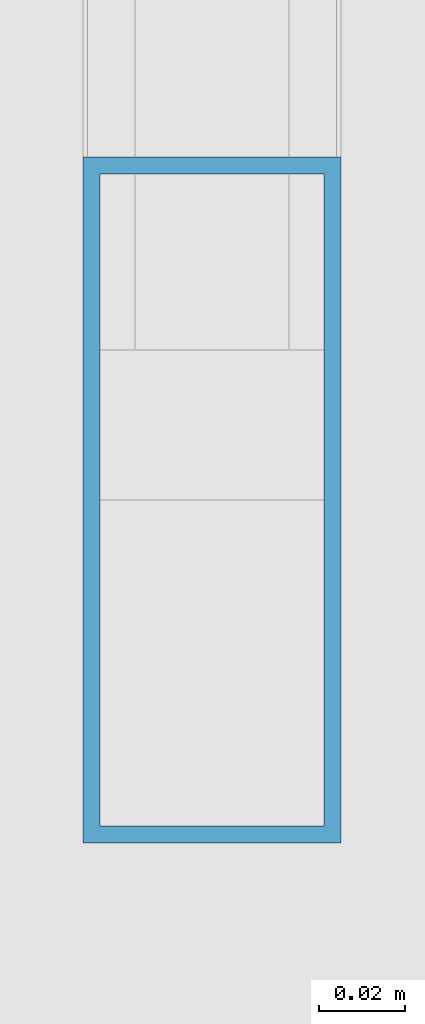
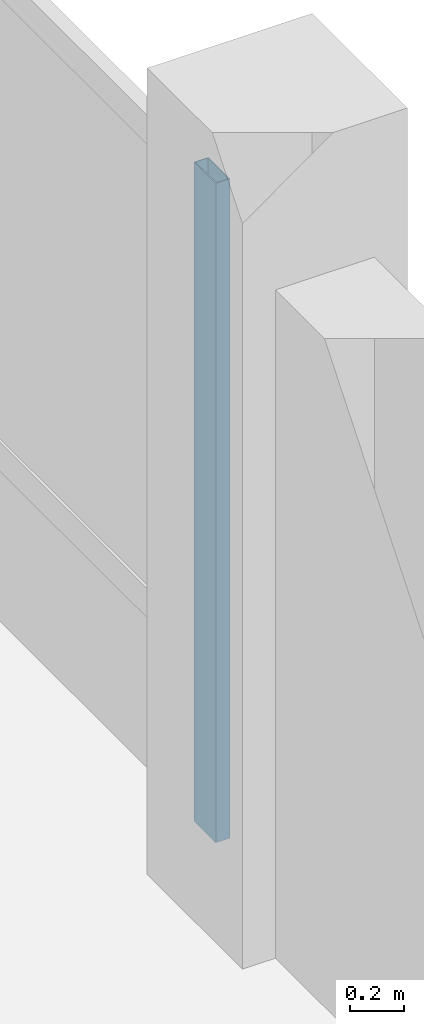
# One storey, part 13 of 128: 1 member, 1 element without a shape of its own.
"""IFC4 building model written with IfcOpenShell, lengths in metres."""

from ifc_helpers import new_model, si_unit, direction, frame, origin, origin_2d, place, context, subcontext, project, spatial, hollow_rectangle, extrude, material, material_profile, profile_set, type_object, element, aggregate, save


model = new_model("IFC4")

# Units and contexts
model_context = context("Model", 3, precision=1e-05, world=origin(), true_north=direction((0.0, 1.0)))
body_context = subcontext(model_context, "Body", "Model", "MODEL_VIEW")
ifc_project = project(units=[si_unit("LENGTHUNIT", "METRE"), si_unit("AREAUNIT", "SQUARE_METRE"), si_unit("VOLUMEUNIT", "CUBIC_METRE"), si_unit("PLANEANGLEUNIT", "RADIAN"), si_unit("MASSUNIT", "GRAM", prefix="KILO")], contexts=[model_context])

# Site, building, storey
site_placement = place(None, origin())
site = spatial("IfcSite", under=ifc_project, at=site_placement, CompositionType="ELEMENT")
building_placement = place(site_placement, origin())
building = spatial("IfcBuilding", under=site, at=building_placement, Name="Zornivar Specialist Clinic", CompositionType="ELEMENT")
storey_placement = place(building_placement, frame((0.0, 0.0, 4.5)))
storey = spatial("IfcBuildingStorey", under=building, at=storey_placement, Name="L01", CompositionType="ELEMENT", Elevation=4.5)

# Curtain wall, member
ifc_material_1 = material(Name="Aluminium and Low-E Glass Curtain Wall", Category="aluminium")
curtain_wall_type = type_object("IfcCurtainWallType", Name="CW-REVAK-COURT", PredefinedType="NOTDEFINED", material=ifc_material_1)
curtain_wall_placement = place(storey_placement, origin())
curtain_wall = element("IfcCurtainWall", 1, at=curtain_wall_placement, inside=storey, type_object=curtain_wall_type, Name="cw:V2:L01:16", PredefinedType="NOTDEFINED")
ifc_material_2 = material(Name="Aluminium AW-6060", Category="aluminium")
ifc_material_profile = material_profile(ifc_material_2, hollow_rectangle(XDim=0.06005859375, YDim=0.159912109375, WallThickness=0.00390625, at=origin_2d()), Name="ALU 60x160x4")
ifc_profile_set = profile_set([ifc_material_profile], Name="Aluminium AW-6060")
member_type = type_object("IfcMemberType", Name="CWM-MUL-160", PredefinedType="MULLION", material=ifc_profile_set)
member_placement = place(storey_placement, frame((14.39990234375, 29.280029296875, 0.0), z_axis=(0.0, 0.0, 1.0), x_axis=(1.0, 0.0, 0.0)))
member = element("IfcMember", 2, at=member_placement, type_object=member_type, Name="cw:V2:L01:16:mul:0", PredefinedType="MULLION", context=body_context, shape_type="SweptSolid", body=[
    extrude(hollow_rectangle(XDim=0.06005859375, YDim=0.159912109375, WallThickness=0.00390625, at=origin_2d()), origin(), (0.0, 0.0, 1.0), 2.9599609375),
])
aggregate(curtain_wall, [member])

save(model, "model.ifc")
